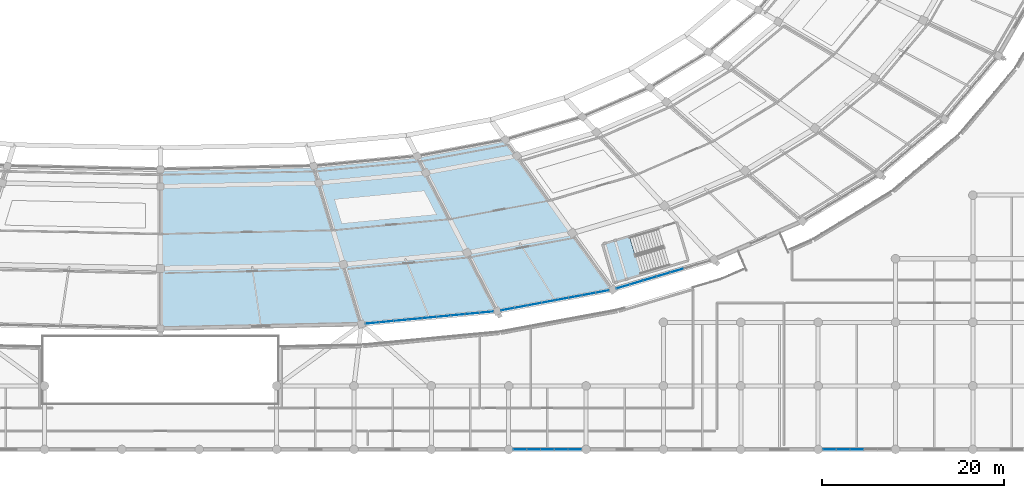
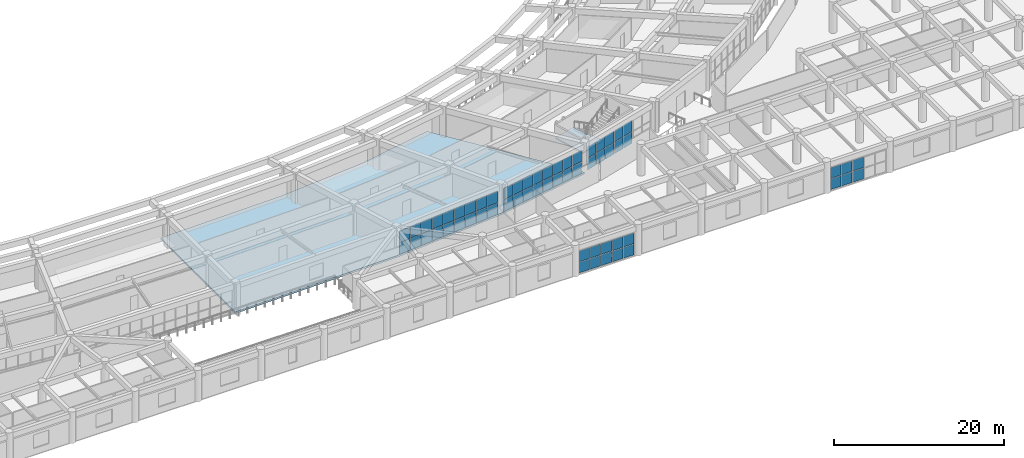
# One storey, part 82 of 145: 60 plates, 2 slabs, 6 elements without a shape of their own.
"""IFC4 building model written with IfcOpenShell, lengths in metres."""

from ifc_helpers import new_model, si_unit, direction, frame, origin, origin_2d, place, context, subcontext, project, spatial, polyline, rectangle, outline, extrude, material, layer, layer_set, type_object, element, aggregate, save


model = new_model("IFC4")

# Units and contexts
model_context = context("Model", 3, precision=1e-05, world=origin(), true_north=direction((0.0, 1.0)))
body_context = subcontext(model_context, "Body", "Model", "MODEL_VIEW")
ifc_project = project(units=[si_unit("LENGTHUNIT", "METRE"), si_unit("AREAUNIT", "SQUARE_METRE"), si_unit("VOLUMEUNIT", "CUBIC_METRE"), si_unit("PLANEANGLEUNIT", "RADIAN"), si_unit("MASSUNIT", "GRAM", prefix="KILO")], contexts=[model_context])

# Site, building, storey
site_placement = place(None, origin())
site = spatial("IfcSite", under=ifc_project, at=site_placement, CompositionType="ELEMENT")
building_placement = place(site_placement, origin())
building = spatial("IfcBuilding", under=site, at=building_placement, Name="Mphavela Belvedere Stadium", CompositionType="ELEMENT")
storey_placement = place(building_placement, frame((0.0, 0.0, 10.199951171875)))
storey = spatial("IfcBuildingStorey", under=building, at=storey_placement, Name="L02", CompositionType="ELEMENT", Elevation=10.199951171875)

# Curtain wall, plates
ifc_material_1 = material(Name="Anodised bronze unitised curtain wall framing")
ifc_layer_1 = layer(ifc_material_1, 0.199951171875)
ifc_layer_set_1 = layer_set([ifc_layer_1], Name="Anodised bronze unitised curtain wall framing")
curtain_wall_type_1 = type_object("IfcCurtainWallType", Name="CW-UNIT-05", PredefinedType="USERDEFINED", material=ifc_layer_set_1)
curtain_wall_1_placement = place(storey_placement, origin())
curtain_wall_1 = element("IfcCurtainWall", 1, at=curtain_wall_1_placement, inside=storey, type_object=curtain_wall_type_1, Name="Belvedere colonnade curtain wall L02-38", ObjectType="UNITISED CURTAIN WALL", PredefinedType="USERDEFINED")
ifc_material_2 = material(Name="Solar-control double glazing", Category="glass")
ifc_layer_2 = layer(ifc_material_2, 0.031982421875)
ifc_layer_set_2 = layer_set([ifc_layer_2], Name="Solar-control double glazing")
plate_type = type_object("IfcPlateType", Name="CWP-SOLAR-GLASS", PredefinedType="CURTAIN_PANEL", material=ifc_layer_set_2)
plate_1_placement = place(storey_placement, frame((138.31396484375, 13.920654296875, 0.06005859375), z_axis=(0.0, 0.0, 1.0), x_axis=(0.99548434828, 0.094925825406, 0.0)))
plate_1 = element("IfcPlate", 2, at=plate_1_placement, type_object=plate_type, Name="CW-05 panel 1.1", PredefinedType="CURTAIN_PANEL", context=body_context, shape_type="SweptSolid", body=[
    extrude(rectangle(XDim=1.483642578125, YDim=0.031982421875, at=origin_2d()), origin(), (0.0, 0.0, 1.0), 1.6201171875),
])
plate_2_placement = place(storey_placement, frame((138.31396484375, 13.920654296875, 1.739990234375), z_axis=(0.0, 0.0, 1.0), x_axis=(0.99548434828, 0.094925825406, 0.0)))
plate_2 = element("IfcPlate", 3, at=plate_2_placement, type_object=plate_type, Name="CW-05 panel 1.2", PredefinedType="CURTAIN_PANEL", context=body_context, shape_type="SweptSolid", body=[
    extrude(rectangle(XDim=1.483642578125, YDim=0.031982421875, at=origin_2d()), origin(), (0.0, 0.0, 1.0), 1.6201171875),
])
plate_3_placement = place(storey_placement, frame((139.871826171875, 14.069091796875, 0.06005859375), z_axis=(0.0, 0.0, 1.0), x_axis=(0.99548434828, 0.094925825406, 0.0)))
plate_3 = element("IfcPlate", 4, at=plate_3_placement, type_object=plate_type, Name="CW-05 panel 2.1", PredefinedType="CURTAIN_PANEL", context=body_context, shape_type="SweptSolid", body=[
    extrude(rectangle(XDim=1.51611328125, YDim=0.031982421875, at=origin_2d()), origin(), (0.0, 0.0, 1.0), 1.6201171875),
])
plate_4_placement = place(storey_placement, frame((139.871826171875, 14.069091796875, 1.739990234375), z_axis=(0.0, 0.0, 1.0), x_axis=(0.99548434828, 0.094925825406, 0.0)))
plate_4 = element("IfcPlate", 5, at=plate_4_placement, type_object=plate_type, Name="CW-05 panel 2.2", PredefinedType="CURTAIN_PANEL", context=body_context, shape_type="SweptSolid", body=[
    extrude(rectangle(XDim=1.51611328125, YDim=0.031982421875, at=origin_2d()), origin(), (0.0, 0.0, 1.0), 1.6201171875),
])
plate_5_placement = place(storey_placement, frame((141.44580078125, 14.21923828125, 0.06005859375), z_axis=(0.0, 0.0, 1.0), x_axis=(0.99548434828, 0.094925825406, 0.0)))
plate_5 = element("IfcPlate", 6, at=plate_5_placement, type_object=plate_type, Name="CW-05 panel 3.1", PredefinedType="CURTAIN_PANEL", context=body_context, shape_type="SweptSolid", body=[
    extrude(rectangle(XDim=1.51611328125, YDim=0.031982421875, at=origin_2d()), origin(), (0.0, 0.0, 1.0), 1.6201171875),
])
plate_6_placement = place(storey_placement, frame((141.44580078125, 14.21923828125, 1.739990234375), z_axis=(0.0, 0.0, 1.0), x_axis=(0.99548434828, 0.094925825406, 0.0)))
plate_6 = element("IfcPlate", 7, at=plate_6_placement, type_object=plate_type, Name="CW-05 panel 3.2", PredefinedType="CURTAIN_PANEL", context=body_context, shape_type="SweptSolid", body=[
    extrude(rectangle(XDim=1.51611328125, YDim=0.031982421875, at=origin_2d()), origin(), (0.0, 0.0, 1.0), 1.6201171875),
])
plate_7_placement = place(storey_placement, frame((143.019775390625, 14.369384765625, 0.06005859375), z_axis=(0.0, 0.0, 1.0), x_axis=(0.99548434828, 0.094925825406, 0.0)))
plate_7 = element("IfcPlate", 8, at=plate_7_placement, type_object=plate_type, Name="CW-05 panel 4.1", PredefinedType="CURTAIN_PANEL", context=body_context, shape_type="SweptSolid", body=[
    extrude(rectangle(XDim=1.51611328125, YDim=0.031982421875, at=origin_2d()), origin(), (0.0, 0.0, 1.0), 1.6201171875),
])
plate_8_placement = place(storey_placement, frame((143.019775390625, 14.369384765625, 1.739990234375), z_axis=(0.0, 0.0, 1.0), x_axis=(0.99548434828, 0.094925825406, 0.0)))
plate_8 = element("IfcPlate", 9, at=plate_8_placement, type_object=plate_type, Name="CW-05 panel 4.2", PredefinedType="CURTAIN_PANEL", context=body_context, shape_type="SweptSolid", body=[
    extrude(rectangle(XDim=1.51611328125, YDim=0.031982421875, at=origin_2d()), origin(), (0.0, 0.0, 1.0), 1.6201171875),
])
plate_9_placement = place(storey_placement, frame((144.59375, 14.519287109375, 0.06005859375), z_axis=(0.0, 0.0, 1.0), x_axis=(0.99548434828, 0.094925825406, 0.0)))
plate_9 = element("IfcPlate", 10, at=plate_9_placement, type_object=plate_type, Name="CW-05 panel 5.1", PredefinedType="CURTAIN_PANEL", context=body_context, shape_type="SweptSolid", body=[
    extrude(rectangle(XDim=1.51611328125, YDim=0.031982421875, at=origin_2d()), origin(), (0.0, 0.0, 1.0), 1.6201171875),
])
plate_10_placement = place(storey_placement, frame((144.59375, 14.519287109375, 1.739990234375), z_axis=(0.0, 0.0, 1.0), x_axis=(0.99548434828, 0.094925825406, 0.0)))
plate_10 = element("IfcPlate", 11, at=plate_10_placement, type_object=plate_type, Name="CW-05 panel 5.2", PredefinedType="CURTAIN_PANEL", context=body_context, shape_type="SweptSolid", body=[
    extrude(rectangle(XDim=1.51611328125, YDim=0.031982421875, at=origin_2d()), origin(), (0.0, 0.0, 1.0), 1.6201171875),
])
plate_11_placement = place(storey_placement, frame((146.167724609375, 14.66943359375, 0.06005859375), z_axis=(0.0, 0.0, 1.0), x_axis=(0.99548434828, 0.094925825406, 0.0)))
plate_11 = element("IfcPlate", 12, at=plate_11_placement, type_object=plate_type, Name="CW-05 panel 6.1", PredefinedType="CURTAIN_PANEL", context=body_context, shape_type="SweptSolid", body=[
    extrude(rectangle(XDim=1.51611328125, YDim=0.031982421875, at=origin_2d()), origin(), (0.0, 0.0, 1.0), 1.6201171875),
])
plate_12_placement = place(storey_placement, frame((146.167724609375, 14.66943359375, 1.739990234375), z_axis=(0.0, 0.0, 1.0), x_axis=(0.99548434828, 0.094925825406, 0.0)))
plate_12 = element("IfcPlate", 13, at=plate_12_placement, type_object=plate_type, Name="CW-05 panel 6.2", PredefinedType="CURTAIN_PANEL", context=body_context, shape_type="SweptSolid", body=[
    extrude(rectangle(XDim=1.51611328125, YDim=0.031982421875, at=origin_2d()), origin(), (0.0, 0.0, 1.0), 1.6201171875),
])
plate_13_placement = place(storey_placement, frame((147.74169921875, 14.819580078125, 0.06005859375), z_axis=(0.0, 0.0, 1.0), x_axis=(0.99548434828, 0.094925825406, 0.0)))
plate_13 = element("IfcPlate", 14, at=plate_13_placement, type_object=plate_type, Name="CW-05 panel 7.1", PredefinedType="CURTAIN_PANEL", context=body_context, shape_type="SweptSolid", body=[
    extrude(rectangle(XDim=1.51611328125, YDim=0.031982421875, at=origin_2d()), origin(), (0.0, 0.0, 1.0), 1.6201171875),
])
plate_14_placement = place(storey_placement, frame((147.74169921875, 14.819580078125, 1.739990234375), z_axis=(0.0, 0.0, 1.0), x_axis=(0.99548434828, 0.094925825406, 0.0)))
plate_14 = element("IfcPlate", 15, at=plate_14_placement, type_object=plate_type, Name="CW-05 panel 7.2", PredefinedType="CURTAIN_PANEL", context=body_context, shape_type="SweptSolid", body=[
    extrude(rectangle(XDim=1.51611328125, YDim=0.031982421875, at=origin_2d()), origin(), (0.0, 0.0, 1.0), 1.6201171875),
])
plate_15_placement = place(storey_placement, frame((149.315673828125, 14.9697265625, 0.06005859375), z_axis=(0.0, 0.0, 1.0), x_axis=(0.99548434828, 0.094925825406, 0.0)))
plate_15 = element("IfcPlate", 16, at=plate_15_placement, type_object=plate_type, Name="CW-05 panel 8.1", PredefinedType="CURTAIN_PANEL", context=body_context, shape_type="SweptSolid", body=[
    extrude(rectangle(XDim=1.51611328125, YDim=0.031982421875, at=origin_2d()), origin(), (0.0, 0.0, 1.0), 1.6201171875),
])
plate_16_placement = place(storey_placement, frame((149.315673828125, 14.9697265625, 1.739990234375), z_axis=(0.0, 0.0, 1.0), x_axis=(0.99548434828, 0.094925825406, 0.0)))
plate_16 = element("IfcPlate", 17, at=plate_16_placement, type_object=plate_type, Name="CW-05 panel 8.2", PredefinedType="CURTAIN_PANEL", context=body_context, shape_type="SweptSolid", body=[
    extrude(rectangle(XDim=1.51611328125, YDim=0.031982421875, at=origin_2d()), origin(), (0.0, 0.0, 1.0), 1.6201171875),
])
plate_17_placement = place(storey_placement, frame((150.87353515625, 15.1181640625, 0.06005859375), z_axis=(0.0, 0.0, 1.0), x_axis=(0.99548434828, 0.094925825406, 0.0)))
plate_17 = element("IfcPlate", 18, at=plate_17_placement, type_object=plate_type, Name="CW-05 panel 9.1", PredefinedType="CURTAIN_PANEL", context=body_context, shape_type="SweptSolid", body=[
    extrude(rectangle(XDim=1.483642578125, YDim=0.031982421875, at=origin_2d()), origin(), (0.0, 0.0, 1.0), 1.6201171875),
])
plate_18_placement = place(storey_placement, frame((150.87353515625, 15.1181640625, 1.739990234375), z_axis=(0.0, 0.0, 1.0), x_axis=(0.99548434828, 0.094925825406, 0.0)))
plate_18 = element("IfcPlate", 19, at=plate_18_placement, type_object=plate_type, Name="CW-05 panel 9.2", PredefinedType="CURTAIN_PANEL", context=body_context, shape_type="SweptSolid", body=[
    extrude(rectangle(XDim=1.483642578125, YDim=0.031982421875, at=origin_2d()), origin(), (0.0, 0.0, 1.0), 1.6201171875),
])
aggregate(curtain_wall_1, [plate_1, plate_2, plate_3, plate_4, plate_5, plate_6, plate_7, plate_8, plate_9, plate_10, plate_11, plate_12, plate_13, plate_14, plate_15, plate_16, plate_17, plate_18])

ifc_material_3 = material(Name="Anodised bronze unitised curtain wall framing")
ifc_layer_3 = layer(ifc_material_3, 0.205078125)
ifc_layer_set_3 = layer_set([ifc_layer_3], Name="Anodised bronze unitised curtain wall framing")
curtain_wall_type_2 = type_object("IfcCurtainWallType", Name="CW-UNIT-06", PredefinedType="USERDEFINED", material=ifc_layer_set_3)
curtain_wall_2_placement = place(storey_placement, origin())
curtain_wall_2 = element("IfcCurtainWall", 20, at=curtain_wall_2_placement, inside=storey, type_object=curtain_wall_type_2, Name="Belvedere colonnade curtain wall L02-39", ObjectType="UNITISED CURTAIN WALL", PredefinedType="USERDEFINED")
plate_19_placement = place(storey_placement, frame((153.226806640625, 15.447509765625, 0.06005859375), z_axis=(0.0, 0.0, 1.0), x_axis=(0.983097097753, 0.1830849431, 0.0)))
plate_19 = element("IfcPlate", 21, at=plate_19_placement, type_object=plate_type, Name="CW-06 panel 1.1", PredefinedType="CURTAIN_PANEL", context=body_context, shape_type="SweptSolid", body=[
    extrude(rectangle(XDim=1.42138671875, YDim=0.031982421875, at=origin_2d()), origin(), (0.0, 0.0, 1.0), 1.6201171875),
])
plate_20_placement = place(storey_placement, frame((153.226806640625, 15.447509765625, 1.739990234375), z_axis=(0.0, 0.0, 1.0), x_axis=(0.983097097753, 0.1830849431, 0.0)))
plate_20 = element("IfcPlate", 22, at=plate_20_placement, type_object=plate_type, Name="CW-06 panel 1.2", PredefinedType="CURTAIN_PANEL", context=body_context, shape_type="SweptSolid", body=[
    extrude(rectangle(XDim=1.42138671875, YDim=0.031982421875, at=origin_2d()), origin(), (0.0, 0.0, 1.0), 1.6201171875),
])
plate_21_placement = place(storey_placement, frame((154.703857421875, 15.72265625, 0.06005859375), z_axis=(0.0, 0.0, 1.0), x_axis=(0.983097097753, 0.1830849431, 0.0)))
plate_21 = element("IfcPlate", 23, at=plate_21_placement, type_object=plate_type, Name="CW-06 panel 2.1", PredefinedType="CURTAIN_PANEL", context=body_context, shape_type="SweptSolid", body=[
    extrude(rectangle(XDim=1.453857421875, YDim=0.031982421875, at=origin_2d()), origin(), (0.0, 0.0, 1.0), 1.6201171875),
])
plate_22_placement = place(storey_placement, frame((154.703857421875, 15.72265625, 1.739990234375), z_axis=(0.0, 0.0, 1.0), x_axis=(0.983097097753, 0.1830849431, 0.0)))
plate_22 = element("IfcPlate", 24, at=plate_22_placement, type_object=plate_type, Name="CW-06 panel 2.2", PredefinedType="CURTAIN_PANEL", context=body_context, shape_type="SweptSolid", body=[
    extrude(rectangle(XDim=1.453857421875, YDim=0.031982421875, at=origin_2d()), origin(), (0.0, 0.0, 1.0), 1.6201171875),
])
plate_23_placement = place(storey_placement, frame((156.197265625, 16.000732421875, 0.06005859375), z_axis=(0.0, 0.0, 1.0), x_axis=(0.983097097753, 0.1830849431, 0.0)))
plate_23 = element("IfcPlate", 25, at=plate_23_placement, type_object=plate_type, Name="CW-06 panel 3.1", PredefinedType="CURTAIN_PANEL", context=body_context, shape_type="SweptSolid", body=[
    extrude(rectangle(XDim=1.453857421875, YDim=0.031982421875, at=origin_2d()), origin(), (0.0, 0.0, 1.0), 1.6201171875),
])
plate_24_placement = place(storey_placement, frame((156.197265625, 16.000732421875, 1.739990234375), z_axis=(0.0, 0.0, 1.0), x_axis=(0.983097097753, 0.1830849431, 0.0)))
plate_24 = element("IfcPlate", 26, at=plate_24_placement, type_object=plate_type, Name="CW-06 panel 3.2", PredefinedType="CURTAIN_PANEL", context=body_context, shape_type="SweptSolid", body=[
    extrude(rectangle(XDim=1.453857421875, YDim=0.031982421875, at=origin_2d()), origin(), (0.0, 0.0, 1.0), 1.6201171875),
])
plate_25_placement = place(storey_placement, frame((157.6904296875, 16.27880859375, 0.06005859375), z_axis=(0.0, 0.0, 1.0), x_axis=(0.983097097753, 0.1830849431, 0.0)))
plate_25 = element("IfcPlate", 27, at=plate_25_placement, type_object=plate_type, Name="CW-06 panel 4.1", PredefinedType="CURTAIN_PANEL", context=body_context, shape_type="SweptSolid", body=[
    extrude(rectangle(XDim=1.453857421875, YDim=0.031982421875, at=origin_2d()), origin(), (0.0, 0.0, 1.0), 1.6201171875),
])
plate_26_placement = place(storey_placement, frame((157.6904296875, 16.27880859375, 1.739990234375), z_axis=(0.0, 0.0, 1.0), x_axis=(0.983097097753, 0.1830849431, 0.0)))
plate_26 = element("IfcPlate", 28, at=plate_26_placement, type_object=plate_type, Name="CW-06 panel 4.2", PredefinedType="CURTAIN_PANEL", context=body_context, shape_type="SweptSolid", body=[
    extrude(rectangle(XDim=1.453857421875, YDim=0.031982421875, at=origin_2d()), origin(), (0.0, 0.0, 1.0), 1.6201171875),
])
plate_27_placement = place(storey_placement, frame((159.18359375, 16.556884765625, 0.06005859375), z_axis=(0.0, 0.0, 1.0), x_axis=(0.983097097753, 0.1830849431, 0.0)))
plate_27 = element("IfcPlate", 29, at=plate_27_placement, type_object=plate_type, Name="CW-06 panel 5.1", PredefinedType="CURTAIN_PANEL", context=body_context, shape_type="SweptSolid", body=[
    extrude(rectangle(XDim=1.453857421875, YDim=0.031982421875, at=origin_2d()), origin(), (0.0, 0.0, 1.0), 1.6201171875),
])
plate_28_placement = place(storey_placement, frame((159.18359375, 16.556884765625, 1.739990234375), z_axis=(0.0, 0.0, 1.0), x_axis=(0.983097097753, 0.1830849431, 0.0)))
plate_28 = element("IfcPlate", 30, at=plate_28_placement, type_object=plate_type, Name="CW-06 panel 5.2", PredefinedType="CURTAIN_PANEL", context=body_context, shape_type="SweptSolid", body=[
    extrude(rectangle(XDim=1.453857421875, YDim=0.031982421875, at=origin_2d()), origin(), (0.0, 0.0, 1.0), 1.6201171875),
])
plate_29_placement = place(storey_placement, frame((160.6767578125, 16.8349609375, 0.06005859375), z_axis=(0.0, 0.0, 1.0), x_axis=(0.983097097753, 0.1830849431, 0.0)))
plate_29 = element("IfcPlate", 31, at=plate_29_placement, type_object=plate_type, Name="CW-06 panel 6.1", PredefinedType="CURTAIN_PANEL", context=body_context, shape_type="SweptSolid", body=[
    extrude(rectangle(XDim=1.453857421875, YDim=0.031982421875, at=origin_2d()), origin(), (0.0, 0.0, 1.0), 1.6201171875),
])
plate_30_placement = place(storey_placement, frame((160.6767578125, 16.8349609375, 1.739990234375), z_axis=(0.0, 0.0, 1.0), x_axis=(0.983097097753, 0.1830849431, 0.0)))
plate_30 = element("IfcPlate", 32, at=plate_30_placement, type_object=plate_type, Name="CW-06 panel 6.2", PredefinedType="CURTAIN_PANEL", context=body_context, shape_type="SweptSolid", body=[
    extrude(rectangle(XDim=1.453857421875, YDim=0.031982421875, at=origin_2d()), origin(), (0.0, 0.0, 1.0), 1.6201171875),
])
plate_31_placement = place(storey_placement, frame((162.170166015625, 17.113037109375, 0.06005859375), z_axis=(0.0, 0.0, 1.0), x_axis=(0.983097097753, 0.1830849431, 0.0)))
plate_31 = element("IfcPlate", 33, at=plate_31_placement, type_object=plate_type, Name="CW-06 panel 7.1", PredefinedType="CURTAIN_PANEL", context=body_context, shape_type="SweptSolid", body=[
    extrude(rectangle(XDim=1.453857421875, YDim=0.031982421875, at=origin_2d()), origin(), (0.0, 0.0, 1.0), 1.6201171875),
])
plate_32_placement = place(storey_placement, frame((162.170166015625, 17.113037109375, 1.739990234375), z_axis=(0.0, 0.0, 1.0), x_axis=(0.983097097753, 0.1830849431, 0.0)))
plate_32 = element("IfcPlate", 34, at=plate_32_placement, type_object=plate_type, Name="CW-06 panel 7.2", PredefinedType="CURTAIN_PANEL", context=body_context, shape_type="SweptSolid", body=[
    extrude(rectangle(XDim=1.453857421875, YDim=0.031982421875, at=origin_2d()), origin(), (0.0, 0.0, 1.0), 1.6201171875),
])
plate_33_placement = place(storey_placement, frame((163.647216796875, 17.38818359375, 0.06005859375), z_axis=(0.0, 0.0, 1.0), x_axis=(0.983097097753, 0.1830849431, 0.0)))
plate_33 = element("IfcPlate", 35, at=plate_33_placement, type_object=plate_type, Name="CW-06 panel 8.1", PredefinedType="CURTAIN_PANEL", context=body_context, shape_type="SweptSolid", body=[
    extrude(rectangle(XDim=1.42138671875, YDim=0.031982421875, at=origin_2d()), origin(), (0.0, 0.0, 1.0), 1.6201171875),
])
plate_34_placement = place(storey_placement, frame((163.647216796875, 17.38818359375, 1.739990234375), z_axis=(0.0, 0.0, 1.0), x_axis=(0.983097097753, 0.1830849431, 0.0)))
plate_34 = element("IfcPlate", 36, at=plate_34_placement, type_object=plate_type, Name="CW-06 panel 8.2", PredefinedType="CURTAIN_PANEL", context=body_context, shape_type="SweptSolid", body=[
    extrude(rectangle(XDim=1.42138671875, YDim=0.031982421875, at=origin_2d()), origin(), (0.0, 0.0, 1.0), 1.6201171875),
])
aggregate(curtain_wall_2, [plate_19, plate_20, plate_21, plate_22, plate_23, plate_24, plate_25, plate_26, plate_27, plate_28, plate_29, plate_30, plate_31, plate_32, plate_33, plate_34])

ifc_material_4 = material(Name="Anodised bronze unitised curtain wall framing")
ifc_layer_4 = layer(ifc_material_4, 0.179931640625)
ifc_layer_set_4 = layer_set([ifc_layer_4], Name="Anodised bronze unitised curtain wall framing")
curtain_wall_type_3 = type_object("IfcCurtainWallType", Name="CW-UNIT-01", PredefinedType="USERDEFINED", material=ifc_layer_set_4)
curtain_wall_3_placement = place(storey_placement, origin())
curtain_wall_3 = element("IfcCurtainWall", 37, at=curtain_wall_3_placement, inside=storey, type_object=curtain_wall_type_3, Name="Belvedere colonnade curtain wall L02-40", ObjectType="UNITISED CURTAIN WALL", PredefinedType="USERDEFINED")
plate_35_placement = place(storey_placement, frame((165.939208984375, 17.94091796875, 0.06005859375), z_axis=(0.0, 0.0, 1.0), x_axis=(0.95866207188, 0.284547064542, 0.0)))
plate_35 = element("IfcPlate", 38, at=plate_35_placement, type_object=plate_type, Name="CW-01 panel 1.1", PredefinedType="CURTAIN_PANEL", context=body_context, shape_type="SweptSolid", body=[
    extrude(rectangle(XDim=1.4482421875, YDim=0.031982421875, at=origin_2d()), origin(), (0.0, 0.0, 1.0), 1.6201171875),
])
plate_36_placement = place(storey_placement, frame((165.939208984375, 17.94091796875, 1.739990234375), z_axis=(0.0, 0.0, 1.0), x_axis=(0.95866207188, 0.284547064542, 0.0)))
plate_36 = element("IfcPlate", 39, at=plate_36_placement, type_object=plate_type, Name="CW-01 panel 1.2", PredefinedType="CURTAIN_PANEL", context=body_context, shape_type="SweptSolid", body=[
    extrude(rectangle(XDim=1.4482421875, YDim=0.031982421875, at=origin_2d()), origin(), (0.0, 0.0, 1.0), 1.6201171875),
])
plate_37_placement = place(storey_placement, frame((167.405517578125, 18.376220703125, 0.06005859375), z_axis=(0.0, 0.0, 1.0), x_axis=(0.95866207188, 0.284547064542, 0.0)))
plate_37 = element("IfcPlate", 40, at=plate_37_placement, type_object=plate_type, Name="CW-01 panel 2.1", PredefinedType="CURTAIN_PANEL", context=body_context, shape_type="SweptSolid", body=[
    extrude(rectangle(XDim=1.480712890625, YDim=0.031982421875, at=origin_2d()), origin(), (0.0, 0.0, 1.0), 1.6201171875),
])
plate_38_placement = place(storey_placement, frame((167.405517578125, 18.376220703125, 1.739990234375), z_axis=(0.0, 0.0, 1.0), x_axis=(0.95866207188, 0.284547064542, 0.0)))
plate_38 = element("IfcPlate", 41, at=plate_38_placement, type_object=plate_type, Name="CW-01 panel 2.2", PredefinedType="CURTAIN_PANEL", context=body_context, shape_type="SweptSolid", body=[
    extrude(rectangle(XDim=1.480712890625, YDim=0.031982421875, at=origin_2d()), origin(), (0.0, 0.0, 1.0), 1.6201171875),
])
plate_39_placement = place(storey_placement, frame((168.887451171875, 18.816162109375, 0.06005859375), z_axis=(0.0, 0.0, 1.0), x_axis=(0.95866207188, 0.284547064542, 0.0)))
plate_39 = element("IfcPlate", 42, at=plate_39_placement, type_object=plate_type, Name="CW-01 panel 3.1", PredefinedType="CURTAIN_PANEL", context=body_context, shape_type="SweptSolid", body=[
    extrude(rectangle(XDim=1.480712890625, YDim=0.031982421875, at=origin_2d()), origin(), (0.0, 0.0, 1.0), 1.6201171875),
])
plate_40_placement = place(storey_placement, frame((168.887451171875, 18.816162109375, 1.739990234375), z_axis=(0.0, 0.0, 1.0), x_axis=(0.95866207188, 0.284547064542, 0.0)))
plate_40 = element("IfcPlate", 43, at=plate_40_placement, type_object=plate_type, Name="CW-01 panel 3.2", PredefinedType="CURTAIN_PANEL", context=body_context, shape_type="SweptSolid", body=[
    extrude(rectangle(XDim=1.480712890625, YDim=0.031982421875, at=origin_2d()), origin(), (0.0, 0.0, 1.0), 1.6201171875),
])
plate_41_placement = place(storey_placement, frame((170.369384765625, 19.255859375, 0.06005859375), z_axis=(0.0, 0.0, 1.0), x_axis=(0.95866207188, 0.284547064542, 0.0)))
plate_41 = element("IfcPlate", 44, at=plate_41_placement, type_object=plate_type, Name="CW-01 panel 4.1", PredefinedType="CURTAIN_PANEL", context=body_context, shape_type="SweptSolid", body=[
    extrude(rectangle(XDim=1.480712890625, YDim=0.031982421875, at=origin_2d()), origin(), (0.0, 0.0, 1.0), 1.6201171875),
])
plate_42_placement = place(storey_placement, frame((170.369384765625, 19.255859375, 1.739990234375), z_axis=(0.0, 0.0, 1.0), x_axis=(0.95866207188, 0.284547064542, 0.0)))
plate_42 = element("IfcPlate", 45, at=plate_42_placement, type_object=plate_type, Name="CW-01 panel 4.2", PredefinedType="CURTAIN_PANEL", context=body_context, shape_type="SweptSolid", body=[
    extrude(rectangle(XDim=1.480712890625, YDim=0.031982421875, at=origin_2d()), origin(), (0.0, 0.0, 1.0), 1.6201171875),
])
plate_43_placement = place(storey_placement, frame((171.851318359375, 19.69580078125, 0.06005859375), z_axis=(0.0, 0.0, 1.0), x_axis=(0.95866207188, 0.284547064542, 0.0)))
plate_43 = element("IfcPlate", 46, at=plate_43_placement, type_object=plate_type, Name="CW-01 panel 5.1", PredefinedType="CURTAIN_PANEL", context=body_context, shape_type="SweptSolid", body=[
    extrude(rectangle(XDim=1.480712890625, YDim=0.031982421875, at=origin_2d()), origin(), (0.0, 0.0, 1.0), 1.6201171875),
])
plate_44_placement = place(storey_placement, frame((171.851318359375, 19.69580078125, 1.739990234375), z_axis=(0.0, 0.0, 1.0), x_axis=(0.95866207188, 0.284547064542, 0.0)))
plate_44 = element("IfcPlate", 47, at=plate_44_placement, type_object=plate_type, Name="CW-01 panel 5.2", PredefinedType="CURTAIN_PANEL", context=body_context, shape_type="SweptSolid", body=[
    extrude(rectangle(XDim=1.480712890625, YDim=0.031982421875, at=origin_2d()), origin(), (0.0, 0.0, 1.0), 1.6201171875),
])
aggregate(curtain_wall_3, [plate_35, plate_36, plate_37, plate_38, plate_39, plate_40, plate_41, plate_42, plate_43, plate_44])

ifc_material_5 = material(Name="Anodised bronze unitised curtain wall framing")
ifc_layer_5 = layer(ifc_material_5, 0.18994140625)
ifc_layer_set_5 = layer_set([ifc_layer_5], Name="Anodised bronze unitised curtain wall framing")
curtain_wall_type_4 = type_object("IfcCurtainWallType", Name="CW-UNIT-03", PredefinedType="USERDEFINED", material=ifc_layer_set_5)
curtain_wall_4_placement = place(storey_placement, origin())
curtain_wall_4 = element("IfcCurtainWall", 48, at=curtain_wall_4_placement, inside=storey, type_object=curtain_wall_type_4, Name="South Axial Triumphal Peristyle Portico gallery curtain wall L02-19", ObjectType="UNITISED CURTAIN WALL", PredefinedType="USERDEFINED")
plate_45_placement = place(storey_placement, frame((160.60546875, 0.0, 0.06005859375), z_axis=(0.0, 0.0, 1.0), x_axis=(-1.0, 0.0, 0.0)))
plate_45 = element("IfcPlate", 49, at=plate_45_placement, type_object=plate_type, Name="CW-03 panel 1.1", PredefinedType="CURTAIN_PANEL", context=body_context, shape_type="SweptSolid", body=[
    extrude(rectangle(XDim=1.4169921875, YDim=0.031982421875, at=origin_2d()), origin(), (0.0, 0.0, 1.0), 1.5400390625),
])
plate_46_placement = place(storey_placement, frame((160.60546875, 0.0, 1.659912109375), z_axis=(0.0, 0.0, 1.0), x_axis=(-1.0, 0.0, 0.0)))
plate_46 = element("IfcPlate", 50, at=plate_46_placement, type_object=plate_type, Name="CW-03 panel 1.2", PredefinedType="CURTAIN_PANEL", context=body_context, shape_type="SweptSolid", body=[
    extrude(rectangle(XDim=1.4169921875, YDim=0.031982421875, at=origin_2d()), origin(), (0.0, 0.0, 1.0), 1.5400390625),
])
plate_47_placement = place(storey_placement, frame((159.107177734375, 0.0, 0.06005859375), z_axis=(0.0, 0.0, 1.0), x_axis=(-1.0, 0.0, 0.0)))
plate_47 = element("IfcPlate", 51, at=plate_47_placement, type_object=plate_type, Name="CW-03 panel 2.1", PredefinedType="CURTAIN_PANEL", context=body_context, shape_type="SweptSolid", body=[
    extrude(rectangle(XDim=1.44970703125, YDim=0.031982421875, at=origin_2d()), origin(), (0.0, 0.0, 1.0), 1.5400390625),
])
plate_48_placement = place(storey_placement, frame((159.107177734375, 0.0, 1.659912109375), z_axis=(0.0, 0.0, 1.0), x_axis=(-1.0, 0.0, 0.0)))
plate_48 = element("IfcPlate", 52, at=plate_48_placement, type_object=plate_type, Name="CW-03 panel 2.2", PredefinedType="CURTAIN_PANEL", context=body_context, shape_type="SweptSolid", body=[
    extrude(rectangle(XDim=1.44970703125, YDim=0.031982421875, at=origin_2d()), origin(), (0.0, 0.0, 1.0), 1.5400390625),
])
plate_49_placement = place(storey_placement, frame((157.592529296875, 0.0, 0.06005859375), z_axis=(0.0, 0.0, 1.0), x_axis=(-1.0, 0.0, 0.0)))
plate_49 = element("IfcPlate", 53, at=plate_49_placement, type_object=plate_type, Name="CW-03 panel 3.1", PredefinedType="CURTAIN_PANEL", context=body_context, shape_type="SweptSolid", body=[
    extrude(rectangle(XDim=1.44970703125, YDim=0.031982421875, at=origin_2d()), origin(), (0.0, 0.0, 1.0), 1.5400390625),
])
plate_50_placement = place(storey_placement, frame((157.592529296875, 0.0, 1.659912109375), z_axis=(0.0, 0.0, 1.0), x_axis=(-1.0, 0.0, 0.0)))
plate_50 = element("IfcPlate", 54, at=plate_50_placement, type_object=plate_type, Name="CW-03 panel 3.2", PredefinedType="CURTAIN_PANEL", context=body_context, shape_type="SweptSolid", body=[
    extrude(rectangle(XDim=1.44970703125, YDim=0.031982421875, at=origin_2d()), origin(), (0.0, 0.0, 1.0), 1.5400390625),
])
plate_51_placement = place(storey_placement, frame((156.077880859375, 0.0, 0.06005859375), z_axis=(0.0, 0.0, 1.0), x_axis=(-1.0, 0.0, 0.0)))
plate_51 = element("IfcPlate", 55, at=plate_51_placement, type_object=plate_type, Name="CW-03 panel 4.1", PredefinedType="CURTAIN_PANEL", context=body_context, shape_type="SweptSolid", body=[
    extrude(rectangle(XDim=1.44970703125, YDim=0.031982421875, at=origin_2d()), origin(), (0.0, 0.0, 1.0), 1.5400390625),
])
plate_52_placement = place(storey_placement, frame((156.077880859375, 0.0, 1.659912109375), z_axis=(0.0, 0.0, 1.0), x_axis=(-1.0, 0.0, 0.0)))
plate_52 = element("IfcPlate", 56, at=plate_52_placement, type_object=plate_type, Name="CW-03 panel 4.2", PredefinedType="CURTAIN_PANEL", context=body_context, shape_type="SweptSolid", body=[
    extrude(rectangle(XDim=1.44970703125, YDim=0.031982421875, at=origin_2d()), origin(), (0.0, 0.0, 1.0), 1.5400390625),
])
plate_53_placement = place(storey_placement, frame((154.57958984375, 0.0, 0.06005859375), z_axis=(0.0, 0.0, 1.0), x_axis=(-1.0, 0.0, 0.0)))
plate_53 = element("IfcPlate", 57, at=plate_53_placement, type_object=plate_type, Name="CW-03 panel 5.1", PredefinedType="CURTAIN_PANEL", context=body_context, shape_type="SweptSolid", body=[
    extrude(rectangle(XDim=1.4169921875, YDim=0.031982421875, at=origin_2d()), origin(), (0.0, 0.0, 1.0), 1.5400390625),
])
plate_54_placement = place(storey_placement, frame((154.57958984375, 0.0, 1.659912109375), z_axis=(0.0, 0.0, 1.0), x_axis=(-1.0, 0.0, 0.0)))
plate_54 = element("IfcPlate", 58, at=plate_54_placement, type_object=plate_type, Name="CW-03 panel 5.2", PredefinedType="CURTAIN_PANEL", context=body_context, shape_type="SweptSolid", body=[
    extrude(rectangle(XDim=1.4169921875, YDim=0.031982421875, at=origin_2d()), origin(), (0.0, 0.0, 1.0), 1.5400390625),
])
aggregate(curtain_wall_4, [plate_45, plate_46, plate_47, plate_48, plate_49, plate_50, plate_51, plate_52, plate_53, plate_54])

ifc_material_6 = material(Name="Anodised bronze unitised curtain wall framing")
ifc_layer_6 = layer(ifc_material_6, 0.195068359375)
ifc_layer_set_6 = layer_set([ifc_layer_6], Name="Anodised bronze unitised curtain wall framing")
curtain_wall_type_5 = type_object("IfcCurtainWallType", Name="CW-UNIT-04", PredefinedType="USERDEFINED", material=ifc_layer_set_6)
curtain_wall_5_placement = place(storey_placement, origin())
curtain_wall_5 = element("IfcCurtainWall", 59, at=curtain_wall_5_placement, inside=storey, type_object=curtain_wall_type_5, Name="South Axial Triumphal Peristyle Portico gallery curtain wall L02-23", ObjectType="UNITISED CURTAIN WALL", PredefinedType="USERDEFINED")
plate_55_placement = place(storey_placement, frame((191.66650390625, 0.0, 0.06005859375), z_axis=(0.0, 0.0, 1.0), x_axis=(-1.0, 0.0, 0.0)))
plate_55 = element("IfcPlate", 60, at=plate_55_placement, type_object=plate_type, Name="CW-04 panel 3.1", PredefinedType="CURTAIN_PANEL", context=body_context, shape_type="SweptSolid", body=[
    extrude(rectangle(XDim=1.44970703125, YDim=0.031982421875, at=origin_2d()), origin(), (0.0, 0.0, 1.0), 1.5400390625),
])
plate_56_placement = place(storey_placement, frame((191.66650390625, 0.0, 1.659912109375), z_axis=(0.0, 0.0, 1.0), x_axis=(-1.0, 0.0, 0.0)))
plate_56 = element("IfcPlate", 61, at=plate_56_placement, type_object=plate_type, Name="CW-04 panel 3.2", PredefinedType="CURTAIN_PANEL", context=body_context, shape_type="SweptSolid", body=[
    extrude(rectangle(XDim=1.44970703125, YDim=0.031982421875, at=origin_2d()), origin(), (0.0, 0.0, 1.0), 1.5400390625),
])
plate_57_placement = place(storey_placement, frame((190.15185546875, 0.0, 0.06005859375), z_axis=(0.0, 0.0, 1.0), x_axis=(-1.0, 0.0, 0.0)))
plate_57 = element("IfcPlate", 62, at=plate_57_placement, type_object=plate_type, Name="CW-04 panel 4.1", PredefinedType="CURTAIN_PANEL", context=body_context, shape_type="SweptSolid", body=[
    extrude(rectangle(XDim=1.44970703125, YDim=0.031982421875, at=origin_2d()), origin(), (0.0, 0.0, 1.0), 1.5400390625),
])
plate_58_placement = place(storey_placement, frame((190.15185546875, 0.0, 1.659912109375), z_axis=(0.0, 0.0, 1.0), x_axis=(-1.0, 0.0, 0.0)))
plate_58 = element("IfcPlate", 63, at=plate_58_placement, type_object=plate_type, Name="CW-04 panel 4.2", PredefinedType="CURTAIN_PANEL", context=body_context, shape_type="SweptSolid", body=[
    extrude(rectangle(XDim=1.44970703125, YDim=0.031982421875, at=origin_2d()), origin(), (0.0, 0.0, 1.0), 1.5400390625),
])
plate_59_placement = place(storey_placement, frame((188.653564453125, 0.0, 0.06005859375), z_axis=(0.0, 0.0, 1.0), x_axis=(-1.0, 0.0, 0.0)))
plate_59 = element("IfcPlate", 64, at=plate_59_placement, type_object=plate_type, Name="CW-04 panel 5.1", PredefinedType="CURTAIN_PANEL", context=body_context, shape_type="SweptSolid", body=[
    extrude(rectangle(XDim=1.4169921875, YDim=0.031982421875, at=origin_2d()), origin(), (0.0, 0.0, 1.0), 1.5400390625),
])
plate_60_placement = place(storey_placement, frame((188.653564453125, 0.0, 1.659912109375), z_axis=(0.0, 0.0, 1.0), x_axis=(-1.0, 0.0, 0.0)))
plate_60 = element("IfcPlate", 65, at=plate_60_placement, type_object=plate_type, Name="CW-04 panel 5.2", PredefinedType="CURTAIN_PANEL", context=body_context, shape_type="SweptSolid", body=[
    extrude(rectangle(XDim=1.4169921875, YDim=0.031982421875, at=origin_2d()), origin(), (0.0, 0.0, 1.0), 1.5400390625),
])
aggregate(curtain_wall_5, [plate_55, plate_56, plate_57, plate_58, plate_59, plate_60])

# Slab
ifc_material_7 = material(Name="Concrete C40/50", Category="concrete")
ifc_layer_7 = layer(ifc_material_7, 0.25)
ifc_layer_set_7 = layer_set([ifc_layer_7], Name="Concrete C40/50")
slab_type_1 = type_object("IfcSlabType", Name="SLB-CONCOURSE-250", PredefinedType="FLOOR", material=ifc_layer_set_7)
slab_1_placement = place(storey_placement, frame((0.0, 0.0, -0.25)))
element("IfcSlab", 66, at=slab_1_placement, inside=storey, type_object=slab_type_1, Name="Concourse sector slab L02-S7:1", PredefinedType="FLOOR", context=body_context, shape_type="SweptSolid", body=[
    extrude(outline(polyline([(137.114501953125, 13.80615234375), (115.0, 13.330078125), (115.0, 30.843994140625), (131.857177734375, 31.20703125), (143.25927734375, 32.294189453125), (152.961669921875, 34.101318359375), (164.80126953125, 17.60302734375), (152.07275390625, 15.232666015625), (137.114501953125, 13.80615234375)])), origin(), (0.0, 0.0, 1.0), 0.25),
])

# Stair, slab
ifc_material_8 = material(Name="Precast concrete C45/55", Category="concrete")
stair_type = type_object("IfcStairType", Name="STR-TWO-RET-2", PredefinedType="TWO_STRAIGHT_RUN_STAIR", material=ifc_material_8)
stair_placement = place(storey_placement, origin())
stair = element("IfcStair", 67, at=stair_placement, inside=storey, type_object=stair_type, Name="L02 Escape stair core P04", PredefinedType="TWO_STRAIGHT_RUN_STAIR")
ifc_material_9 = material(Name="Concrete C40/50", Category="concrete")
ifc_layer_8 = layer(ifc_material_9, 0.199951171875)
ifc_layer_set_8 = layer_set([ifc_layer_8], Name="Concrete C40/50")
slab_type_2 = type_object("IfcSlabType", Name="SLB-LANDING-200", PredefinedType="LANDING", material=ifc_layer_set_8)
slab_2_placement = place(storey_placement, frame((0.0, 0.0, 2.050048828125)))
slab_2 = element("IfcSlab", 68, at=slab_2_placement, type_object=slab_type_2, Name="ST-P04 landing 1", PredefinedType="LANDING", context=body_context, shape_type="SweptSolid", body=[
    extrude(outline(polyline([(166.62548828125, 23.47265625), (163.765625, 22.623779296875), (165.026123046875, 18.376953125), (168.226318359375, 19.32666015625), (167.595947265625, 21.4501953125), (167.255615234375, 21.34912109375), (166.62548828125, 23.47265625)])), origin(), (0.0, 0.0, 1.0), 0.199951171875),
])
aggregate(stair, [slab_2])

save(model, "model.ifc")
